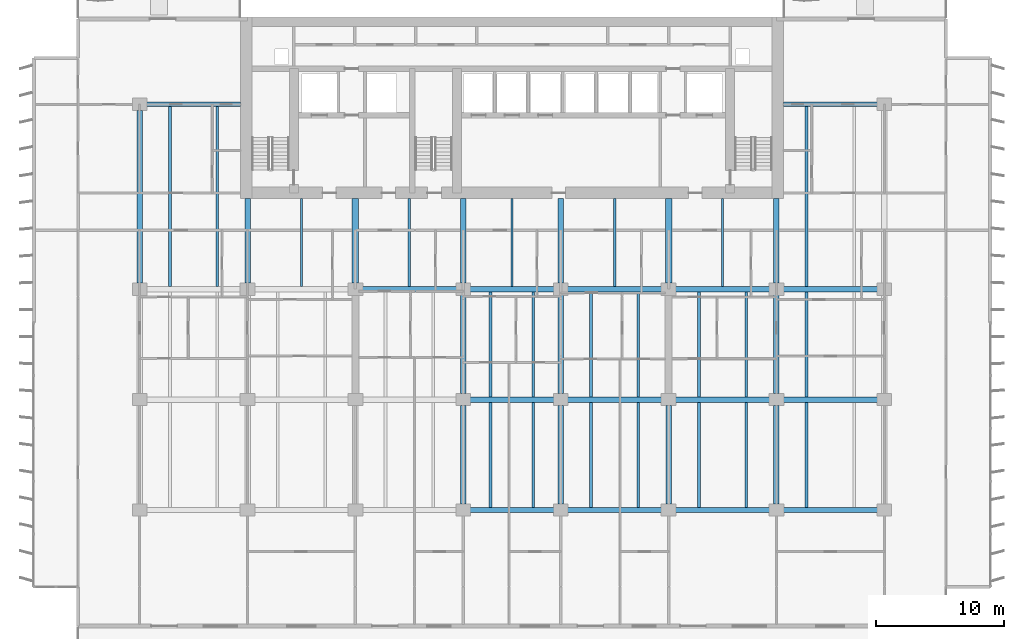
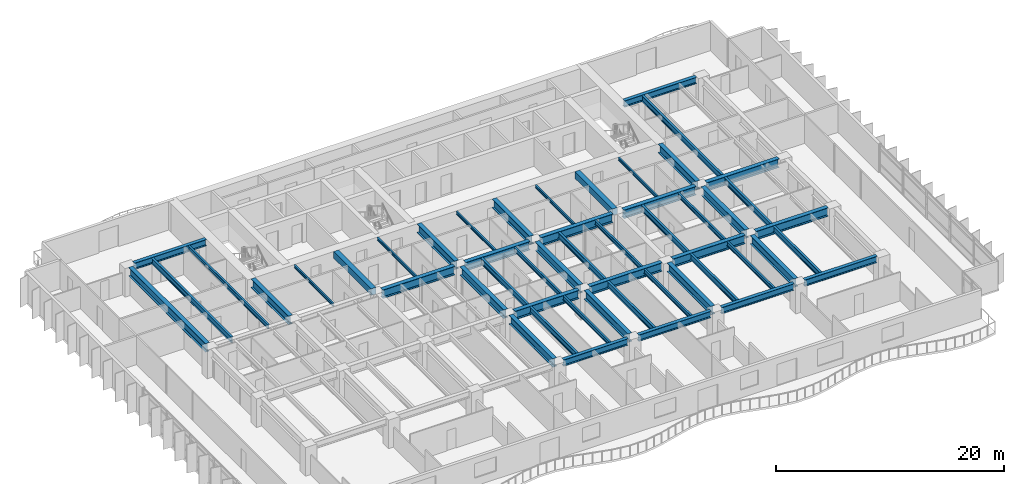
# One storey, part 3 of 18: 51 beams.
"""IFC4 building model written with IfcOpenShell, lengths in metres."""

from ifc_helpers import new_model, si_unit, direction, frame, origin, origin_2d, place, context, subcontext, project, spatial, rectangle, i_section, extrude, material, material_profile, profile_set, type_object, element, save


model = new_model("IFC4")

# Units and contexts
model_context = context("Model", 3, precision=1e-05, world=origin(), true_north=direction((0.0, 1.0)))
body_context = subcontext(model_context, "Body", "Model", "MODEL_VIEW")
ifc_project = project(units=[si_unit("LENGTHUNIT", "METRE"), si_unit("AREAUNIT", "SQUARE_METRE"), si_unit("VOLUMEUNIT", "CUBIC_METRE"), si_unit("PLANEANGLEUNIT", "RADIAN"), si_unit("MASSUNIT", "GRAM", prefix="KILO")], contexts=[model_context])

# Site, building, storey
site_placement = place(None, origin())
site = spatial("IfcSite", under=ifc_project, at=site_placement, CompositionType="ELEMENT")
building_placement = place(site_placement, origin())
building = spatial("IfcBuilding", under=site, at=building_placement, Name="Caelmar Bay Residences", CompositionType="ELEMENT")
storey_placement = place(building_placement, frame((0.0, 0.0, 43.199951171875)))
storey = spatial("IfcBuildingStorey", under=building, at=storey_placement, Name="L10", CompositionType="ELEMENT", Elevation=43.199951171875)

# Beams
ifc_material_1 = material(Name="Steel ASTM A992 Grade 50", Category="steel")
ifc_material_profile_1 = material_profile(ifc_material_1, i_section(OverallWidth=0.422119140625, OverallDepth=0.925048828125, WebThickness=0.021240234375, FlangeThickness=0.03662109375, FilletRadius=0.020263671875, at=origin_2d()), Name="W36X262")
ifc_profile_set_1 = profile_set([ifc_material_profile_1], Name="Steel ASTM A992 Grade 50")
beam_type_1 = type_object("IfcBeamType", Name="BM-GRD-W36X262", PredefinedType="BEAM", material=ifc_profile_set_1)
beam_1_placement = place(storey_placement, frame((35.639892578125, 20.800048828125, 2.587646484375), z_axis=(1.0, 0.0, 0.0), x_axis=(0.0, 1.0, 0.0)))
element("IfcBeam", 1, at=beam_1_placement, inside=storey, type_object=beam_type_1, Name="L10 East-West Girder Y=20.80 (35.1-42.7)", PredefinedType="BEAM", context=body_context, shape_type="SweptSolid", body=[
    extrude(i_section(OverallWidth=0.422119140625, OverallDepth=0.925048828125, WebThickness=0.021240234375, FlangeThickness=0.03662109375, FilletRadius=0.020263671875, at=origin_2d()), origin(), (0.0, 0.0, 1.0), 6.52001953125),
])
for number, where, z_axis, x_axis, name in (
    (2, (43.239990234375, 20.800048828125, 2.587646484375), (1.0, 0.0, 0.0), (0.0, 1.0, 0.0), "L10 East-West Girder Y=20.80 (42.7-51.1)"),
    (3, (51.639892578125, 20.800048828125, 2.587646484375), (1.0, 0.0, 0.0), (0.0, 1.0, 0.0), "L10 East-West Girder Y=20.80 (51.1-59.5)"),
    (4, (60.0400390625, 20.800048828125, 2.587646484375), (1.0, 0.0, 0.0), (0.0, 1.0, 0.0), "L10 East-West Girder Y=20.80 (59.5-67.9)"),
    (5, (27.239990234375, 29.39990234375, 2.587646484375), (1.0, 0.0, 0.0), (0.0, 1.0, 0.0), "L10 East-West Girder Y=29.40 (26.7-35.1)"),
):
    element("IfcBeam", number, at=place(storey_placement, frame(where, z_axis=z_axis, x_axis=x_axis)), inside=storey, type_object=beam_type_1, Name=name, PredefinedType="BEAM", context=body_context, shape_type="SweptSolid", body=[
        extrude(i_section(OverallWidth=0.422119140625, OverallDepth=0.925048828125, WebThickness=0.021240234375, FlangeThickness=0.03662109375, FilletRadius=0.020263671875, at=origin_2d()), origin(), (0.0, 0.0, 1.0), 7.320068359375),
    ])
beam_2_placement = place(storey_placement, frame((35.639892578125, 29.39990234375, 2.587646484375), z_axis=(1.0, 0.0, 0.0), x_axis=(0.0, 1.0, 0.0)))
element("IfcBeam", 6, at=beam_2_placement, inside=storey, type_object=beam_type_1, Name="L10 East-West Girder Y=29.40 (35.1-42.7)", PredefinedType="BEAM", context=body_context, shape_type="SweptSolid", body=[
    extrude(i_section(OverallWidth=0.422119140625, OverallDepth=0.925048828125, WebThickness=0.021240234375, FlangeThickness=0.03662109375, FilletRadius=0.020263671875, at=origin_2d()), origin(), (0.0, 0.0, 1.0), 6.52001953125),
])
for number, where, z_axis, x_axis, name in (
    (7, (43.239990234375, 29.39990234375, 2.587646484375), (1.0, 0.0, 0.0), (0.0, 1.0, 0.0), "L10 East-West Girder Y=29.40 (42.7-51.1)"),
    (8, (51.639892578125, 29.39990234375, 2.587646484375), (1.0, 0.0, 0.0), (0.0, 1.0, 0.0), "L10 East-West Girder Y=29.40 (51.1-59.5)"),
    (9, (60.0400390625, 29.39990234375, 2.587646484375), (1.0, 0.0, 0.0), (0.0, 1.0, 0.0), "L10 East-West Girder Y=29.40 (59.5-67.9)"),
):
    element("IfcBeam", number, at=place(storey_placement, frame(where, z_axis=z_axis, x_axis=x_axis)), inside=storey, type_object=beam_type_1, Name=name, PredefinedType="BEAM", context=body_context, shape_type="SweptSolid", body=[
        extrude(i_section(OverallWidth=0.422119140625, OverallDepth=0.925048828125, WebThickness=0.021240234375, FlangeThickness=0.03662109375, FilletRadius=0.020263671875, at=origin_2d()), origin(), (0.0, 0.0, 1.0), 7.320068359375),
    ])
beam_3_placement = place(storey_placement, frame((9.89990234375, 29.864990234375, 2.587646484375), z_axis=(0.0, 1.0, 0.0), x_axis=(-1.0, 0.0, 0.0)))
element("IfcBeam", 10, at=beam_3_placement, inside=storey, type_object=beam_type_1, Name="L10 North-South Girder X=9.90 (29.4-43.8)", PredefinedType="BEAM", context=body_context, shape_type="SweptSolid", body=[
    extrude(i_section(OverallWidth=0.422119140625, OverallDepth=0.925048828125, WebThickness=0.021240234375, FlangeThickness=0.03662109375, FilletRadius=0.020263671875, at=origin_2d()), origin(), (0.0, 0.0, 1.0), 13.469970703125),
])
for number, where, z_axis, x_axis, name in (
    (11, (18.300048828125, 29.864990234375, 2.587646484375), (0.0, 1.0, 0.0), (-1.0, 0.0, 0.0), "L10 Core Tie Girder X=18.30"),
    (12, (35.10009765625, 29.864990234375, 2.587646484375), (0.0, 1.0, 0.0), (-1.0, 0.0, 0.0), "L10 Core Tie Girder X=35.10"),
):
    element("IfcBeam", number, at=place(storey_placement, frame(where, z_axis=z_axis, x_axis=x_axis)), inside=storey, type_object=beam_type_1, Name=name, PredefinedType="BEAM", context=body_context, shape_type="SweptSolid", body=[
        extrude(i_section(OverallWidth=0.422119140625, OverallDepth=0.925048828125, WebThickness=0.021240234375, FlangeThickness=0.03662109375, FilletRadius=0.020263671875, at=origin_2d()), origin(), (0.0, 0.0, 1.0), 6.5849609375),
    ])
beam_4_placement = place(storey_placement, frame((35.10009765625, 12.6650390625, 2.587646484375), z_axis=(0.0, 1.0, 0.0), x_axis=(-1.0, 0.0, 0.0)))
element("IfcBeam", 13, at=beam_4_placement, inside=storey, type_object=beam_type_1, Name="L10 North-South Girder X=35.10 (12.2-20.8)", PredefinedType="BEAM", context=body_context, shape_type="SweptSolid", body=[
    extrude(i_section(OverallWidth=0.422119140625, OverallDepth=0.925048828125, WebThickness=0.021240234375, FlangeThickness=0.03662109375, FilletRadius=0.020263671875, at=origin_2d()), origin(), (0.0, 0.0, 1.0), 7.669921875),
])
beam_5_placement = place(storey_placement, frame((35.10009765625, 21.264892578125, 2.587646484375), z_axis=(0.0, 1.0, 0.0), x_axis=(-1.0, 0.0, 0.0)))
element("IfcBeam", 14, at=beam_5_placement, inside=storey, type_object=beam_type_1, Name="L10 North-South Girder X=35.10 (20.8-29.4)", PredefinedType="BEAM", context=body_context, shape_type="SweptSolid", body=[
    extrude(i_section(OverallWidth=0.422119140625, OverallDepth=0.925048828125, WebThickness=0.021240234375, FlangeThickness=0.03662109375, FilletRadius=0.020263671875, at=origin_2d()), origin(), (0.0, 0.0, 1.0), 7.670166015625),
])
beam_6_placement = place(storey_placement, frame((42.699951171875, 29.864990234375, 2.587646484375), z_axis=(0.0, 1.0, 0.0), x_axis=(-1.0, 0.0, 0.0)))
element("IfcBeam", 15, at=beam_6_placement, inside=storey, type_object=beam_type_1, Name="L10 Core Tie Girder X=42.70", PredefinedType="BEAM", context=body_context, shape_type="SweptSolid", body=[
    extrude(i_section(OverallWidth=0.422119140625, OverallDepth=0.925048828125, WebThickness=0.021240234375, FlangeThickness=0.03662109375, FilletRadius=0.020263671875, at=origin_2d()), origin(), (0.0, 0.0, 1.0), 6.5849609375),
])
beam_7_placement = place(storey_placement, frame((42.699951171875, 12.6650390625, 2.587646484375), z_axis=(0.0, 1.0, 0.0), x_axis=(-1.0, 0.0, 0.0)))
element("IfcBeam", 16, at=beam_7_placement, inside=storey, type_object=beam_type_1, Name="L10 North-South Girder X=42.70 (12.2-20.8)", PredefinedType="BEAM", context=body_context, shape_type="SweptSolid", body=[
    extrude(i_section(OverallWidth=0.422119140625, OverallDepth=0.925048828125, WebThickness=0.021240234375, FlangeThickness=0.03662109375, FilletRadius=0.020263671875, at=origin_2d()), origin(), (0.0, 0.0, 1.0), 7.669921875),
])
beam_8_placement = place(storey_placement, frame((42.699951171875, 21.264892578125, 2.587646484375), z_axis=(0.0, 1.0, 0.0), x_axis=(-1.0, 0.0, 0.0)))
element("IfcBeam", 17, at=beam_8_placement, inside=storey, type_object=beam_type_1, Name="L10 North-South Girder X=42.70 (20.8-29.4)", PredefinedType="BEAM", context=body_context, shape_type="SweptSolid", body=[
    extrude(i_section(OverallWidth=0.422119140625, OverallDepth=0.925048828125, WebThickness=0.021240234375, FlangeThickness=0.03662109375, FilletRadius=0.020263671875, at=origin_2d()), origin(), (0.0, 0.0, 1.0), 7.670166015625),
])
beam_9_placement = place(storey_placement, frame((51.10009765625, 12.6650390625, 2.587646484375), z_axis=(0.0, 1.0, 0.0), x_axis=(-1.0, 0.0, 0.0)))
element("IfcBeam", 18, at=beam_9_placement, inside=storey, type_object=beam_type_1, Name="L10 North-South Girder X=51.10 (12.2-20.8)", PredefinedType="BEAM", context=body_context, shape_type="SweptSolid", body=[
    extrude(i_section(OverallWidth=0.422119140625, OverallDepth=0.925048828125, WebThickness=0.021240234375, FlangeThickness=0.03662109375, FilletRadius=0.020263671875, at=origin_2d()), origin(), (0.0, 0.0, 1.0), 7.669921875),
])
beam_10_placement = place(storey_placement, frame((59.5, 29.864990234375, 2.587646484375), z_axis=(0.0, 1.0, 0.0), x_axis=(-1.0, 0.0, 0.0)))
element("IfcBeam", 19, at=beam_10_placement, inside=storey, type_object=beam_type_1, Name="L10 Core Tie Girder X=59.50", PredefinedType="BEAM", context=body_context, shape_type="SweptSolid", body=[
    extrude(i_section(OverallWidth=0.422119140625, OverallDepth=0.925048828125, WebThickness=0.021240234375, FlangeThickness=0.03662109375, FilletRadius=0.020263671875, at=origin_2d()), origin(), (0.0, 0.0, 1.0), 6.5849609375),
])
beam_11_placement = place(storey_placement, frame((59.5, 12.6650390625, 2.587646484375), z_axis=(0.0, 1.0, 0.0), x_axis=(-1.0, 0.0, 0.0)))
element("IfcBeam", 20, at=beam_11_placement, inside=storey, type_object=beam_type_1, Name="L10 North-South Girder X=59.50 (12.2-20.8)", PredefinedType="BEAM", context=body_context, shape_type="SweptSolid", body=[
    extrude(i_section(OverallWidth=0.422119140625, OverallDepth=0.925048828125, WebThickness=0.021240234375, FlangeThickness=0.03662109375, FilletRadius=0.020263671875, at=origin_2d()), origin(), (0.0, 0.0, 1.0), 7.669921875),
])
beam_12_placement = place(storey_placement, frame((59.5, 21.264892578125, 2.587646484375), z_axis=(0.0, 1.0, 0.0), x_axis=(-1.0, 0.0, 0.0)))
element("IfcBeam", 21, at=beam_12_placement, inside=storey, type_object=beam_type_1, Name="L10 North-South Girder X=59.50 (20.8-29.4)", PredefinedType="BEAM", context=body_context, shape_type="SweptSolid", body=[
    extrude(i_section(OverallWidth=0.422119140625, OverallDepth=0.925048828125, WebThickness=0.021240234375, FlangeThickness=0.03662109375, FilletRadius=0.020263671875, at=origin_2d()), origin(), (0.0, 0.0, 1.0), 7.670166015625),
])
ifc_material_profile_2 = material_profile(ifc_material_1, i_section(OverallWidth=0.1650390625, OverallDepth=0.31005859375, WebThickness=0.005859375, FlangeThickness=0.009765625, FilletRadius=0.007568359375, at=origin_2d()), Name="W12X26")
ifc_profile_set_2 = profile_set([ifc_material_profile_2], Name="Steel ASTM A992 Grade 50")
beam_type_2 = type_object("IfcBeamType", Name="BM-JST-W12X26", PredefinedType="JOIST", material=ifc_profile_set_2)
for number, where, z_axis, x_axis, name in (
    (22, (22.5, 29.611083984375, 2.89501953125), (0.0, 1.0, 0.0), (-1.0, 0.0, 0.0), "L10 Core-Band Composite Joist 29"),
    (23, (30.89990234375, 29.611083984375, 2.89501953125), (0.0, 1.0, 0.0), (-1.0, 0.0, 0.0), "L10 Core-Band Composite Joist 30"),
    (24, (38.89990234375, 29.611083984375, 2.89501953125), (0.0, 1.0, 0.0), (-1.0, 0.0, 0.0), "L10 Core-Band Composite Joist 31"),
    (25, (46.89990234375, 29.611083984375, 2.89501953125), (0.0, 1.0, 0.0), (-1.0, 0.0, 0.0), "L10 Core-Band Composite Joist 32"),
    (26, (55.300048828125, 29.611083984375, 2.89501953125), (0.0, 1.0, 0.0), (-1.0, 0.0, 0.0), "L10 Core-Band Composite Joist 33"),
):
    element("IfcBeam", number, at=place(storey_placement, frame(where, z_axis=z_axis, x_axis=x_axis)), inside=storey, type_object=beam_type_2, Name=name, PredefinedType="JOIST", context=body_context, shape_type="SweptSolid", body=[
        extrude(i_section(OverallWidth=0.1650390625, OverallDepth=0.31005859375, WebThickness=0.005859375, FlangeThickness=0.009765625, FilletRadius=0.007568359375, at=origin_2d()), origin(), (0.0, 0.0, 1.0), 6.8388671875),
    ])
ifc_material_profile_3 = material_profile(ifc_material_1, i_section(OverallWidth=0.19091796875, OverallDepth=0.45703125, WebThickness=0.009033203125, FlangeThickness=0.014404296875, FilletRadius=0.01025390625, at=origin_2d()), Name="W18X50")
ifc_profile_set_3 = profile_set([ifc_material_profile_3], Name="Steel ASTM A992 Grade 50")
beam_type_3 = type_object("IfcBeamType", Name="BM-JST-W18X50", PredefinedType="JOIST", material=ifc_profile_set_3)
for number, where, z_axis, x_axis, name in (
    (27, (40.572021484375, 12.3779296875, 2.821533203125), (0.0, 1.0, 0.0), (-1.0, 0.0, 0.0), "L10 Composite Floor Joist 8"),
    (28, (48.748046875, 12.3779296875, 2.821533203125), (0.0, 1.0, 0.0), (-1.0, 0.0, 0.0), "L10 Composite Floor Joist 10"),
    (29, (57.14794921875, 12.3779296875, 2.821533203125), (0.0, 1.0, 0.0), (-1.0, 0.0, 0.0), "L10 Composite Floor Joist 12"),
):
    element("IfcBeam", number, at=place(storey_placement, frame(where, z_axis=z_axis, x_axis=x_axis)), inside=storey, type_object=beam_type_3, Name=name, PredefinedType="JOIST", context=body_context, shape_type="SweptSolid", body=[
        extrude(i_section(OverallWidth=0.19091796875, OverallDepth=0.45703125, WebThickness=0.009033203125, FlangeThickness=0.014404296875, FilletRadius=0.01025390625, at=origin_2d()), origin(), (0.0, 0.0, 1.0), 8.211181640625),
    ])
for number, where, z_axis, x_axis, name in (
    (30, (40.572021484375, 21.010986328125, 2.821533203125), (0.0, 1.0, 0.0), (-1.0, 0.0, 0.0), "L10 Composite Floor Joist 22"),
    (31, (48.748046875, 21.010986328125, 2.821533203125), (0.0, 1.0, 0.0), (-1.0, 0.0, 0.0), "L10 Composite Floor Joist 24"),
    (32, (57.14794921875, 21.010986328125, 2.821533203125), (0.0, 1.0, 0.0), (-1.0, 0.0, 0.0), "L10 Composite Floor Joist 26"),
):
    element("IfcBeam", number, at=place(storey_placement, frame(where, z_axis=z_axis, x_axis=x_axis)), inside=storey, type_object=beam_type_3, Name=name, PredefinedType="JOIST", context=body_context, shape_type="SweptSolid", body=[
        extrude(i_section(OverallWidth=0.19091796875, OverallDepth=0.45703125, WebThickness=0.009033203125, FlangeThickness=0.014404296875, FilletRadius=0.01025390625, at=origin_2d()), origin(), (0.0, 0.0, 1.0), 8.177978515625),
    ])
beam_13_placement = place(storey_placement, frame((15.947998046875, 29.611083984375, 2.821533203125), z_axis=(0.0, 1.0, 0.0), x_axis=(-1.0, 0.0, 0.0)))
element("IfcBeam", 33, at=beam_13_placement, inside=storey, type_object=beam_type_3, Name="L10 Composite Floor Joist 35", PredefinedType="JOIST", context=body_context, shape_type="SweptSolid", body=[
    extrude(i_section(OverallWidth=0.19091796875, OverallDepth=0.45703125, WebThickness=0.009033203125, FlangeThickness=0.014404296875, FilletRadius=0.01025390625, at=origin_2d()), origin(), (0.0, 0.0, 1.0), 14.010986328125),
])
ifc_material_profile_4 = material_profile(ifc_material_1, i_section(OverallWidth=0.22900390625, OverallDepth=0.612060546875, WebThickness=0.011962890625, FlangeThickness=0.01953125, FilletRadius=0.0126953125, at=origin_2d()), Name="W24X84")
ifc_profile_set_4 = profile_set([ifc_material_profile_4], Name="Steel ASTM A992 Grade 50")
beam_type_4 = type_object("IfcBeamType", Name="BM-JST-W24X84", PredefinedType="JOIST", material=ifc_profile_set_4)
for number, where, z_axis, x_axis, name in (
    (34, (37.22802734375, 12.3779296875, 2.744140625), (0.0, 1.0, 0.0), (-1.0, 0.0, 0.0), "L10 Composite Floor Joist 7"),
    (35, (45.052001953125, 12.3779296875, 2.744140625), (0.0, 1.0, 0.0), (-1.0, 0.0, 0.0), "L10 Composite Floor Joist 9"),
    (36, (53.451904296875, 12.3779296875, 2.744140625), (0.0, 1.0, 0.0), (-1.0, 0.0, 0.0), "L10 Composite Floor Joist 11"),
    (37, (61.85205078125, 12.3779296875, 2.744140625), (0.0, 1.0, 0.0), (-1.0, 0.0, 0.0), "L10 Composite Floor Joist 13"),
):
    element("IfcBeam", number, at=place(storey_placement, frame(where, z_axis=z_axis, x_axis=x_axis)), inside=storey, type_object=beam_type_4, Name=name, PredefinedType="JOIST", context=body_context, shape_type="SweptSolid", body=[
        extrude(i_section(OverallWidth=0.22900390625, OverallDepth=0.612060546875, WebThickness=0.011962890625, FlangeThickness=0.01953125, FilletRadius=0.0126953125, at=origin_2d()), origin(), (0.0, 0.0, 1.0), 8.211181640625),
    ])
for number, where, z_axis, x_axis, name in (
    (38, (37.22802734375, 21.010986328125, 2.744140625), (0.0, 1.0, 0.0), (-1.0, 0.0, 0.0), "L10 Composite Floor Joist 21"),
    (39, (45.052001953125, 21.010986328125, 2.744140625), (0.0, 1.0, 0.0), (-1.0, 0.0, 0.0), "L10 Composite Floor Joist 23"),
    (40, (53.451904296875, 21.010986328125, 2.744140625), (0.0, 1.0, 0.0), (-1.0, 0.0, 0.0), "L10 Composite Floor Joist 25"),
    (41, (61.85205078125, 21.010986328125, 2.744140625), (0.0, 1.0, 0.0), (-1.0, 0.0, 0.0), "L10 Composite Floor Joist 27"),
):
    element("IfcBeam", number, at=place(storey_placement, frame(where, z_axis=z_axis, x_axis=x_axis)), inside=storey, type_object=beam_type_4, Name=name, PredefinedType="JOIST", context=body_context, shape_type="SweptSolid", body=[
        extrude(i_section(OverallWidth=0.22900390625, OverallDepth=0.612060546875, WebThickness=0.011962890625, FlangeThickness=0.01953125, FilletRadius=0.0126953125, at=origin_2d()), origin(), (0.0, 0.0, 1.0), 8.177978515625),
    ])
for number, where, z_axis, x_axis, name in (
    (42, (12.251953125, 29.611083984375, 2.744140625), (0.0, 1.0, 0.0), (-1.0, 0.0, 0.0), "L10 Composite Floor Joist 34"),
    (43, (61.85205078125, 29.611083984375, 2.744140625), (0.0, 1.0, 0.0), (-1.0, 0.0, 0.0), "L10 Composite Floor Joist 36"),
):
    element("IfcBeam", number, at=place(storey_placement, frame(where, z_axis=z_axis, x_axis=x_axis)), inside=storey, type_object=beam_type_4, Name=name, PredefinedType="JOIST", context=body_context, shape_type="SweptSolid", body=[
        extrude(i_section(OverallWidth=0.22900390625, OverallDepth=0.612060546875, WebThickness=0.011962890625, FlangeThickness=0.01953125, FilletRadius=0.0126953125, at=origin_2d()), origin(), (0.0, 0.0, 1.0), 14.010986328125),
    ])
ifc_material_2 = material(Name="Concrete f'c 55 MPa (8,000 psi)", Category="concrete")
ifc_material_profile_5 = material_profile(ifc_material_2, rectangle(XDim=0.5, YDim=0.699951171875, at=origin_2d()), Name="RC-BM-500X700")
ifc_profile_set_5 = profile_set([ifc_material_profile_5], Name="Concrete f'c 55 MPa (8,000 psi)")
beam_type_5 = type_object("IfcBeamType", Name="BM-RC-500X700", PredefinedType="LINTEL", material=ifc_profile_set_5)
for number, where, z_axis, x_axis, name in (
    (44, (26.699951171875, 29.864990234375, 2.699951171875), (0.0, 1.0, 0.0), (-1.0, 0.0, 0.0), "L10 Shear-Wall Corridor Coupling Lintel W5"),
    (45, (51.10009765625, 29.864990234375, 2.699951171875), (0.0, 1.0, 0.0), (-1.0, 0.0, 0.0), "L10 Shear-Wall Corridor Coupling Lintel E8"),
):
    element("IfcBeam", number, at=place(storey_placement, frame(where, z_axis=z_axis, x_axis=x_axis)), inside=storey, type_object=beam_type_5, Name=name, PredefinedType="LINTEL", context=body_context, shape_type="SweptSolid", body=[
        extrude(rectangle(XDim=0.5, YDim=0.699951171875, at=origin_2d()), origin(), (0.0, 0.0, 1.0), 6.5849609375),
    ])
ifc_material_profile_6 = material_profile(ifc_material_1, i_section(OverallWidth=0.35595703125, OverallDepth=0.696044921875, WebThickness=0.015380859375, FlangeThickness=0.02490234375, FilletRadius=0.01513671875, at=origin_2d()), Name="W27X146")
ifc_profile_set_6 = profile_set([ifc_material_profile_6], Name="Steel ASTM A992 Grade 50")
beam_type_6 = type_object("IfcBeamType", Name="BM-SPN-W27X146", PredefinedType="SPANDREL", material=ifc_profile_set_6)
beam_14_placement = place(storey_placement, frame((35.639892578125, 12.199951171875, 2.7021484375), z_axis=(1.0, 0.0, 0.0), x_axis=(0.0, 1.0, 0.0)))
element("IfcBeam", 46, at=beam_14_placement, inside=storey, type_object=beam_type_6, Name="L10 East-West Girder Y=12.20 (35.1-42.7)", PredefinedType="SPANDREL", context=body_context, shape_type="SweptSolid", body=[
    extrude(i_section(OverallWidth=0.35595703125, OverallDepth=0.696044921875, WebThickness=0.015380859375, FlangeThickness=0.02490234375, FilletRadius=0.01513671875, at=origin_2d()), origin(), (0.0, 0.0, 1.0), 6.52001953125),
])
for number, where, z_axis, x_axis, name in (
    (47, (43.239990234375, 12.199951171875, 2.7021484375), (1.0, 0.0, 0.0), (0.0, 1.0, 0.0), "L10 East-West Girder Y=12.20 (42.7-51.1)"),
    (48, (51.639892578125, 12.199951171875, 2.7021484375), (1.0, 0.0, 0.0), (0.0, 1.0, 0.0), "L10 East-West Girder Y=12.20 (51.1-59.5)"),
    (49, (60.0400390625, 12.199951171875, 2.7021484375), (1.0, 0.0, 0.0), (0.0, 1.0, 0.0), "L10 East-West Girder Y=12.20 (59.5-67.9)"),
):
    element("IfcBeam", number, at=place(storey_placement, frame(where, z_axis=z_axis, x_axis=x_axis)), inside=storey, type_object=beam_type_6, Name=name, PredefinedType="SPANDREL", context=body_context, shape_type="SweptSolid", body=[
        extrude(i_section(OverallWidth=0.35595703125, OverallDepth=0.696044921875, WebThickness=0.015380859375, FlangeThickness=0.02490234375, FilletRadius=0.01513671875, at=origin_2d()), origin(), (0.0, 0.0, 1.0), 7.320068359375),
    ])
for number, where, z_axis, x_axis, name in (
    (50, (10.43994140625, 43.800048828125, 2.7021484375), (1.0, 0.0, 0.0), (0.0, 1.0, 0.0), "L10 North-West Wing Core Tie Girder"),
    (51, (60.050048828125, 43.800048828125, 2.7021484375), (1.0, 0.0, 0.0), (0.0, 1.0, 0.0), "L10 North-East Wing Core Tie Girder"),
):
    element("IfcBeam", number, at=place(storey_placement, frame(where, z_axis=z_axis, x_axis=x_axis)), inside=storey, type_object=beam_type_6, Name=name, PredefinedType="SPANDREL", context=body_context, shape_type="SweptSolid", body=[
        extrude(i_section(OverallWidth=0.35595703125, OverallDepth=0.696044921875, WebThickness=0.015380859375, FlangeThickness=0.02490234375, FilletRadius=0.01513671875, at=origin_2d()), origin(), (0.0, 0.0, 1.0), 7.31005859375),
    ])

save(model, "model.ifc")
